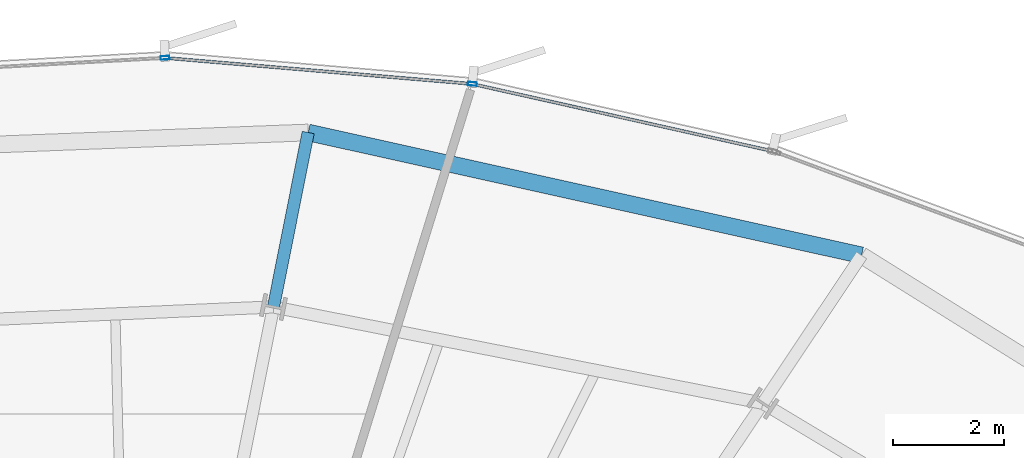
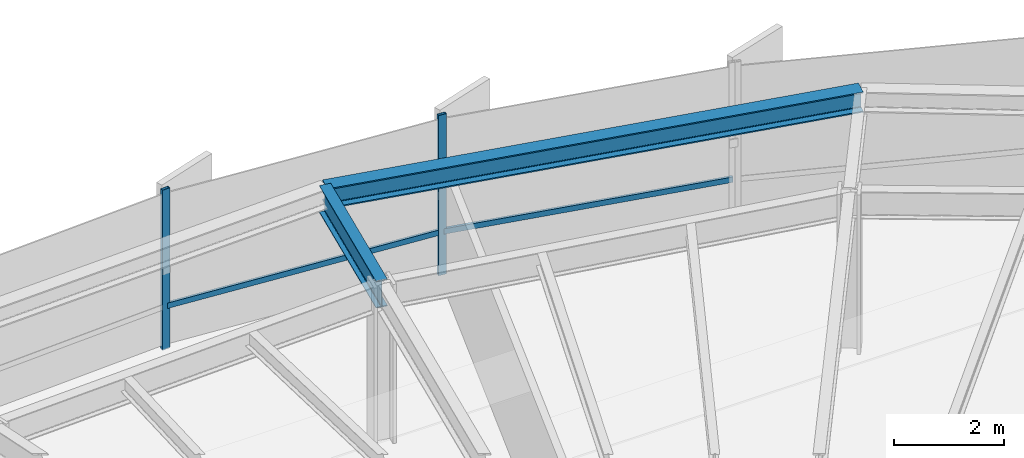
# One storey, part 26 of 37: 4 members, 2 beams, 1 element without a shape of its own.
"""IFC4 building model written with IfcOpenShell, lengths in metres."""

from ifc_helpers import new_model, si_unit, direction, frame, origin, origin_2d, place, context, subcontext, project, spatial, hollow_rectangle, i_section, extrude, source, transform, mapped, material, layer, layer_set, material_profile, profile_set, type_object, element, aggregate, save


model = new_model("IFC4")

# Units and contexts
model_context = context("Model", 3, precision=1e-05, world=origin(), true_north=direction((0.0, 1.0)))
body_context = subcontext(model_context, "Body", "Model", "MODEL_VIEW")
ifc_project = project(units=[si_unit("LENGTHUNIT", "METRE"), si_unit("AREAUNIT", "SQUARE_METRE"), si_unit("VOLUMEUNIT", "CUBIC_METRE"), si_unit("PLANEANGLEUNIT", "RADIAN"), si_unit("MASSUNIT", "GRAM", prefix="KILO"), si_unit("THERMODYNAMICTEMPERATUREUNIT", "KELVIN")], contexts=[model_context])

# Site, building, storey
site_placement = place(None, origin())
site = spatial("IfcSite", under=ifc_project, at=site_placement, CompositionType="ELEMENT")
building_placement = place(site_placement, origin())
building = spatial("IfcBuilding", under=site, at=building_placement, Name="Kethvar Cultural Tower", CompositionType="ELEMENT")
storey_placement = place(building_placement, frame((0.0, 0.0, 60.0)))
storey = spatial("IfcBuildingStorey", under=building, at=storey_placement, Name="L14", CompositionType="ELEMENT", Elevation=60.0)

# Beams
ifc_material_1 = material(Name="Steel S355J2", Category="steel")
ifc_material_profile_1 = material_profile(ifc_material_1, i_section(OverallWidth=0.219970703125, OverallDepth=0.60009765625, WebThickness=0.011962890625, FlangeThickness=0.01904296875, FilletRadius=0.02392578125, at=origin_2d()), Name="Steel S355J2 — IPE600")
ifc_profile_set_1 = profile_set([ifc_material_profile_1], Name="Steel S355J2 — IPE600")
beam_type_1 = type_object("IfcBeamType", Name="BM-IPE600", PredefinedType="BEAM", material=ifc_profile_set_1)
shared_shape_1 = source(origin(), body_context, "Body", "SweptSolid", [
    extrude(i_section(OverallWidth=0.219970703125, OverallDepth=0.60009765625, WebThickness=0.011962890625, FlangeThickness=0.01904296875, FilletRadius=0.02392578125, at=origin_2d()), origin(), (0.0, 0.0, 1.0), 3.199951171875),
])
beam_1_placement = place(storey_placement, frame((51.022216796875, 49.02587890625, 3.248046875), z_axis=(0.195088965533, 0.980785550224, 0.0), x_axis=(-0.980785550224, 0.195088965533, 0.0)))
element("IfcBeam", 1, at=beam_1_placement, inside=storey, type_object=beam_type_1, Name="L14 Perimeter Cantilever Beam RC-04", PredefinedType="BEAM", context=body_context, shape_type="MappedRepresentation", body=[
    mapped(shared_shape_1, transform((0.0, 0.0, 0.0), scale=1.0)),
])
ifc_material_profile_2 = material_profile(ifc_material_1, i_section(OverallWidth=0.300048828125, OverallDepth=0.449951171875, WebThickness=0.013916015625, FlangeThickness=0.02587890625, FilletRadius=0.027099609375, at=origin_2d()), Name="Steel S355J2 — HEB450")
ifc_profile_set_2 = profile_set([ifc_material_profile_2], Name="Steel S355J2 — HEB450")
beam_type_2 = type_object("IfcBeamType", Name="BM-SP450", PredefinedType="SPANDREL", material=ifc_profile_set_2)
shared_shape_2 = source(origin(), body_context, "Body", "SweptSolid", [
    extrude(i_section(OverallWidth=0.300048828125, OverallDepth=0.449951171875, WebThickness=0.013916015625, FlangeThickness=0.02587890625, FilletRadius=0.027099609375, at=origin_2d()), origin(), (0.0, 0.0, 1.0), 10.19873046875),
])
beam_2_placement = place(storey_placement, frame((61.602783203125, 49.9541015625, 3.322998046875), z_axis=(-0.976234913358, 0.216715006268, 0.0), x_axis=(-0.216715006268, -0.976234913358, 0.0)))
element("IfcBeam", 2, at=beam_2_placement, inside=storey, type_object=beam_type_2, Name="L14 Perimeter Spandrel Beam SP-03", PredefinedType="SPANDREL", context=body_context, shape_type="MappedRepresentation", body=[
    mapped(shared_shape_2, transform((0.0, 0.0, 0.0), scale=1.0)),
])

# Curtain wall, members
ifc_material_2 = material(Name="Aluminium 6063-T6", Category="aluminium")
ifc_layer = layer(ifc_material_2, 0.179931640625, Name="Aluminium 6063-T6", Category="aluminium")
ifc_layer_set = layer_set([ifc_layer], Name="Aluminium 6063-T6 (180 mm)")
curtain_wall_type = type_object("IfcCurtainWallType", Name="CW-SYS-02-Z1", PredefinedType="NOTDEFINED", material=ifc_layer_set)
curtain_wall_placement = place(storey_placement, origin())
curtain_wall = element("IfcCurtainWall", 3, at=curtain_wall_placement, inside=storey, type_object=curtain_wall_type, Name="L14 Curtain Wall Run 02", PredefinedType="NOTDEFINED")
ifc_material_profile_3 = material_profile(ifc_material_2, hollow_rectangle(XDim=0.06494140625, YDim=0.159912109375, WallThickness=0.0048828125, at=origin_2d()), Name="Aluminium 6063-T6 — RHS160x65x5")
ifc_profile_set_3 = profile_set([ifc_material_profile_3], Name="Aluminium 6063-T6 — RHS160x65x5")
member_type_1 = type_object("IfcMemberType", Name="CW-SYS-02-Z1-MUL", PredefinedType="MULLION", material=ifc_profile_set_3)
shared_shape_3 = source(origin(), body_context, "Body", "SweptSolid", [
    extrude(hollow_rectangle(XDim=0.06494140625, YDim=0.159912109375, WallThickness=0.0048828125, at=origin_2d()), origin(), (0.0, 0.0, 1.0), 3.550048828125),
])
member_1_placement = place(storey_placement, frame((54.599853515625, 53.037353515625, 0.0), z_axis=(0.0, 0.0, 1.0), x_axis=(-0.084425679196, -0.996429779108, 0.0)))
member_1 = element("IfcMember", 4, at=member_1_placement, type_object=member_type_1, Name="CW-L14-R02 Mullion 2", PredefinedType="MULLION", context=body_context, shape_type="MappedRepresentation", body=[
    mapped(shared_shape_3, transform((0.0, 0.0, 0.0), scale=1.0)),
])
member_2_placement = place(storey_placement, frame((49.07275390625, 53.5068359375, 0.0), z_axis=(0.0, 0.0, 1.0), x_axis=(0.054497074291, -0.998513930245, 0.0)))
member_2 = element("IfcMember", 5, at=member_2_placement, type_object=member_type_1, Name="CW-L14-R02 Mullion 3", PredefinedType="MULLION", context=body_context, shape_type="MappedRepresentation", body=[
    mapped(shared_shape_3, transform((0.0, 0.0, 0.0), scale=1.0)),
])
ifc_material_profile_4 = material_profile(ifc_material_2, hollow_rectangle(XDim=0.054931640625, YDim=0.1201171875, WallThickness=0.00390625, at=origin_2d()), Name="Aluminium 6063-T6 — RHS120x55x4")
ifc_profile_set_4 = profile_set([ifc_material_profile_4], Name="Aluminium 6063-T6 — RHS120x55x4")
member_type_2 = type_object("IfcMemberType", Name="CW-SYS-02-Z1-TRN", PredefinedType="USERDEFINED", material=ifc_profile_set_4)
shared_shape_4 = source(origin(), body_context, "Body", "SweptSolid", [
    extrude(hollow_rectangle(XDim=0.054931640625, YDim=0.1201171875, WallThickness=0.00390625, at=origin_2d()), origin(), (0.0, 0.0, 1.0), 5.4990234375),
])
member_3_placement = place(storey_placement, frame((59.995849609375, 51.8291015625, 0.949951171875), z_axis=(-0.97588211546, 0.218298183054, 0.0), x_axis=(-0.218298183054, -0.97588211546, 0.0)))
member_3 = element("IfcMember", 6, at=member_3_placement, type_object=member_type_2, Name="CW-L14-R02 Transom 1", ObjectType="TRANSOM", PredefinedType="USERDEFINED", context=body_context, shape_type="MappedRepresentation", body=[
    mapped(shared_shape_4, transform((0.0, 0.0, 0.0), scale=1.0)),
])
shared_shape_5 = source(origin(), body_context, "Body", "SweptSolid", [
    extrude(hollow_rectangle(XDim=0.054931640625, YDim=0.1201171875, WallThickness=0.00390625, at=origin_2d()), origin(), (0.0, 0.0, 1.0), 5.4697265625),
])
member_4_placement = place(storey_placement, frame((54.552978515625, 53.041259765625, 0.949951171875), z_axis=(-0.99642779564, 0.084449085708, 0.0), x_axis=(-0.084449085708, -0.99642779564, 0.0)))
member_4 = element("IfcMember", 7, at=member_4_placement, type_object=member_type_2, Name="CW-L14-R02 Transom 2", ObjectType="TRANSOM", PredefinedType="USERDEFINED", context=body_context, shape_type="MappedRepresentation", body=[
    mapped(shared_shape_5, transform((0.0, 0.0, 0.0), scale=1.0)),
])
aggregate(curtain_wall, [member_1, member_2, member_3, member_4])

save(model, "model.ifc")
